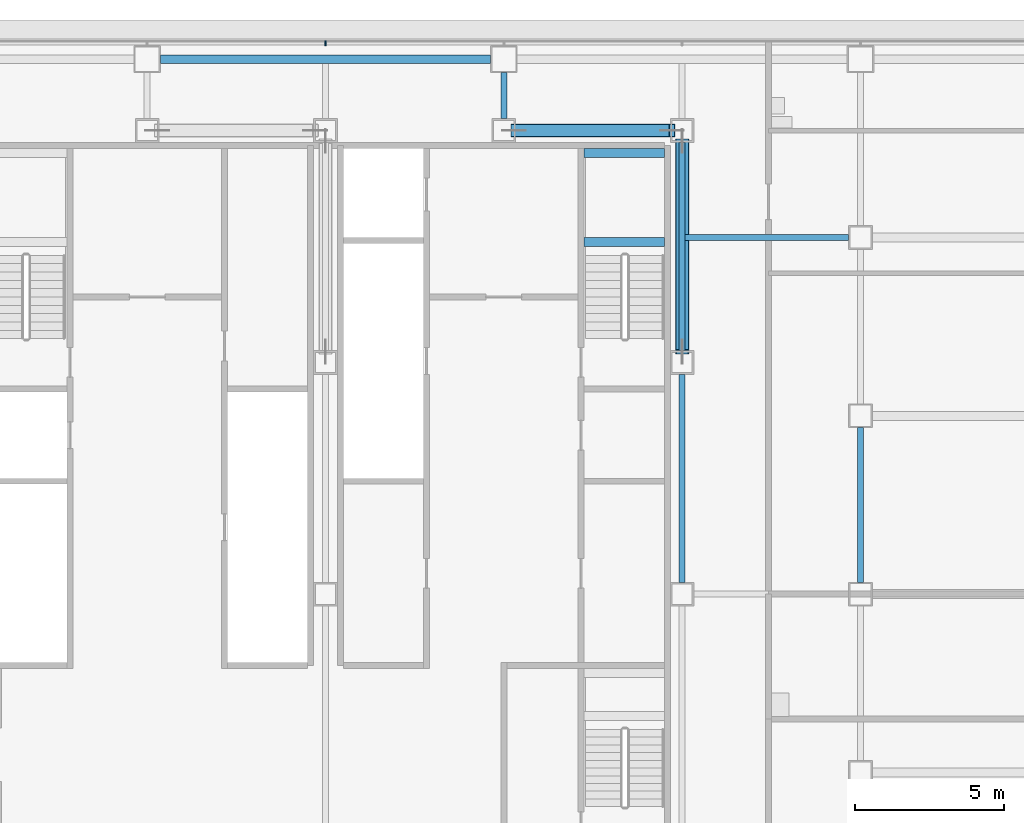
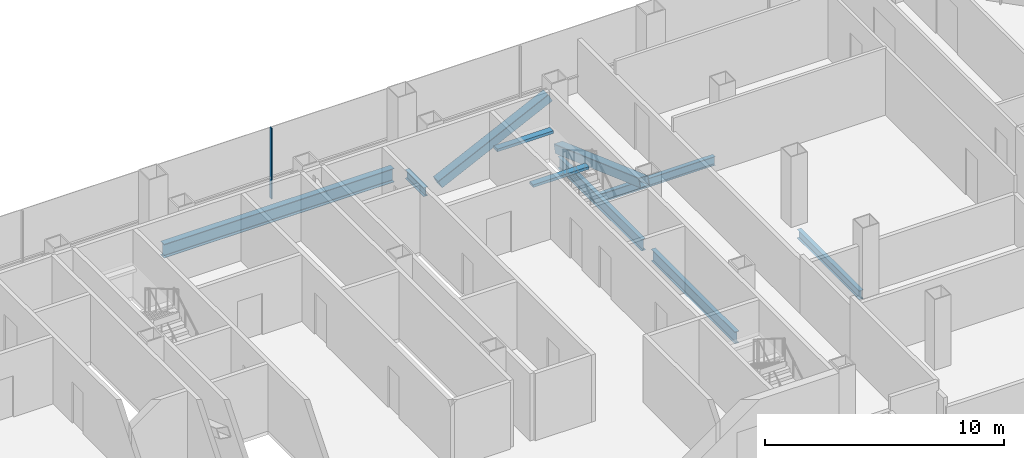
# One storey, part 13 of 26: 8 beams, 3 members, 1 element without a shape of its own.
"""IFC4 building model written with IfcOpenShell, lengths in metres."""

from ifc_helpers import new_model, si_unit, direction, frame, origin, origin_2d, place, context, subcontext, project, spatial, rectangle, hollow_rectangle, i_section, extrude, material, material_profile, profile_set, type_object, element, aggregate, save


model = new_model("IFC4")

# Units and contexts
model_context = context("Model", 3, precision=1e-05, world=origin(), true_north=direction((0.0, 1.0)))
body_context = subcontext(model_context, "Body", "Model", "MODEL_VIEW")
ifc_project = project(units=[si_unit("LENGTHUNIT", "METRE"), si_unit("AREAUNIT", "SQUARE_METRE"), si_unit("VOLUMEUNIT", "CUBIC_METRE"), si_unit("PLANEANGLEUNIT", "RADIAN"), si_unit("MASSUNIT", "GRAM", prefix="KILO")], contexts=[model_context])

# Site, building, storey
site_placement = place(None, origin())
site = spatial("IfcSite", under=ifc_project, at=site_placement, CompositionType="ELEMENT")
building_placement = place(site_placement, origin())
building = spatial("IfcBuilding", under=site, at=building_placement, Name="Sorahane Residences", CompositionType="ELEMENT")
storey_placement = place(building_placement, frame((0.0, 0.0, 64.199951171875)))
storey = spatial("IfcBuildingStorey", under=building, at=storey_placement, Name="L12", CompositionType="ELEMENT", Elevation=64.199951171875)

# Members
ifc_material_1 = material(Name="Steel Q355B", Category="steel")
ifc_material_profile_1 = material_profile(ifc_material_1, hollow_rectangle(XDim=0.449951171875, YDim=0.449951171875, WallThickness=0.02197265625, InnerFilletRadius=0.010986328125, OuterFilletRadius=0.032958984375, at=origin_2d()), Name="RHS 450x450x22")
ifc_profile_set_1 = profile_set([ifc_material_profile_1], Name="Steel Q355B")
member_type_1 = type_object("IfcMemberType", Name="Core brace RHS 450x450x22 Q355B", PredefinedType="BRACE", material=ifc_profile_set_1)
member_1_placement = place(storey_placement, frame((36.341064453125, 45.60009765625, 0.196533203125), z_axis=(0.899894691922, 0.0, 0.436107261405), x_axis=(0.0, 1.0, 0.0)))
element("IfcMember", 1, at=member_1_placement, inside=storey, type_object=member_type_1, Name="Core brace L12 y45.6-6", PredefinedType="BRACE", context=body_context, shape_type="SweptSolid", body=[
    extrude(hollow_rectangle(XDim=0.449951171875, YDim=0.449951171875, WallThickness=0.02197265625, InnerFilletRadius=0.010986328125, OuterFilletRadius=0.032958984375, at=origin_2d()), origin(), (0.0, 0.0, 1.0), 5.909423828125),
])
member_2_placement = place(storey_placement, frame((42.0, 45.24560546875, 0.20849609375), z_axis=(0.0, -0.940882869443, 0.338732085856), x_axis=(1.0, 0.0, 0.0)))
element("IfcMember", 2, at=member_2_placement, inside=storey, type_object=member_type_1, Name="Core brace L12 x42-3", PredefinedType="BRACE", context=body_context, shape_type="SweptSolid", body=[
    extrude(hollow_rectangle(XDim=0.449951171875, YDim=0.449951171875, WallThickness=0.02197265625, InnerFilletRadius=0.010986328125, OuterFilletRadius=0.032958984375, at=origin_2d()), origin(), (0.0, 0.0, 1.0), 7.536865234375),
])

# Curtain wall, member
ifc_material_2 = material(Name="Dark low-e glass and black anodised aluminium", Category="aluminium")
curtain_wall_type = type_object("IfcCurtainWallType", Name="Curtain wall CW-1 Typical unitised wall", PredefinedType="NOTDEFINED", material=ifc_material_2)
curtain_wall_placement = place(storey_placement, origin())
curtain_wall = element("IfcCurtainWall", 3, at=curtain_wall_placement, inside=storey, type_object=curtain_wall_type, Name="CW-1 curtain wall L12 N1", PredefinedType="NOTDEFINED")
ifc_material_3 = material(Name="Black anodised aluminium", Category="aluminium")
ifc_material_profile_2 = material_profile(ifc_material_3, rectangle(XDim=0.159912109375, YDim=0.050048828125, at=origin_2d()), Name="Curtain wall mullion CW-1 black anodised aluminium 50x160")
ifc_profile_set_2 = profile_set([ifc_material_profile_2], Name="Black anodised aluminium")
member_type_2 = type_object("IfcMemberType", Name="Curtain wall mullion CW-1 black anodised aluminium 50x160", PredefinedType="MULLION", material=ifc_profile_set_2)
member_3_placement = place(storey_placement, frame((30.0, 48.5400390625, -0.179931640625), z_axis=(0.0, 0.0, 1.0), x_axis=(0.0, 1.0, 0.0)))
member_3 = element("IfcMember", 4, at=member_3_placement, type_object=member_type_2, Name="CW-1 mullion L12 N1.6", PredefinedType="MULLION", context=body_context, shape_type="SweptSolid", body=[
    extrude(rectangle(XDim=0.159912109375, YDim=0.050048828125, at=origin_2d()), origin(), (0.0, 0.0, 1.0), 3.60009765625),
])
aggregate(curtain_wall, [member_3])

# Beams
ifc_material_4 = material(Name="Concrete C40", Category="concrete")
ifc_material_profile_3 = material_profile(ifc_material_4, rectangle(XDim=0.300048828125, YDim=0.139892578125, at=origin_2d()), Name="300x140")
ifc_profile_set_3 = profile_set([ifc_material_profile_3], Name="Concrete C40")
beam_type_1 = type_object("IfcBeamType", Name="RC landing beam 300 x 140 Concrete C40", PredefinedType="BEAM", material=ifc_profile_set_3)
for number, where, z_axis, x_axis, name in (
    (5, (38.699951171875, 41.85009765625, 1.530029296875), (1.0, 0.0, 0.0), (0.0, 1.0, 0.0), "Landing beam"),
    (6, (38.699951171875, 44.85009765625, 1.530029296875), (1.0, 0.0, 0.0), (0.0, 1.0, 0.0), "Landing beam"),
):
    element("IfcBeam", number, at=place(storey_placement, frame(where, z_axis=z_axis, x_axis=x_axis)), inside=storey, type_object=beam_type_1, Name=name, PredefinedType="BEAM", context=body_context, shape_type="SweptSolid", body=[
        extrude(rectangle(XDim=0.300048828125, YDim=0.139892578125, at=origin_2d()), origin(), (0.0, 0.0, 1.0), 2.699951171875),
    ])
ifc_material_5 = material(Name="Steel Q355B", Category="steel")
ifc_material_profile_4 = material_profile(ifc_material_5, i_section(OverallWidth=0.199951171875, OverallDepth=0.449951171875, WebThickness=0.009033203125, FlangeThickness=0.013916015625, FilletRadius=0.02001953125, at=origin_2d()), Name="HN 450x200x9x14")
ifc_profile_set_4 = profile_set([ifc_material_profile_4], Name="Steel Q355B")
beam_type_2 = type_object("IfcBeamType", Name="Steel floor beam HN 450x200x9x14 Q355B", PredefinedType="BEAM", material=ifc_profile_set_4)
beam_1_placement = place(storey_placement, frame((36.0, 46.0, -0.405029296875), z_axis=(0.0, 1.0, 0.0), x_axis=(-1.0, 0.0, 0.0)))
element("IfcBeam", 7, at=beam_1_placement, inside=storey, type_object=beam_type_2, Name="Beam L12 044", PredefinedType="BEAM", context=body_context, shape_type="SweptSolid", body=[
    extrude(i_section(OverallWidth=0.199951171875, OverallDepth=0.449951171875, WebThickness=0.009033203125, FlangeThickness=0.013916015625, FilletRadius=0.02001953125, at=origin_2d()), origin(), (0.0, 0.0, 1.0), 1.550048828125),
])
beam_2_placement = place(storey_placement, frame((48.0, 30.39990234375, -0.405029296875), z_axis=(0.0, 1.0, 0.0), x_axis=(-1.0, 0.0, 0.0)))
element("IfcBeam", 8, at=beam_2_placement, inside=storey, type_object=beam_type_2, Name="Beam L12 054", PredefinedType="BEAM", context=body_context, shape_type="SweptSolid", body=[
    extrude(i_section(OverallWidth=0.199951171875, OverallDepth=0.449951171875, WebThickness=0.009033203125, FlangeThickness=0.013916015625, FilletRadius=0.02001953125, at=origin_2d()), origin(), (0.0, 0.0, 1.0), 5.2001953125),
])
beam_3_placement = place(storey_placement, frame((42.10009765625, 42.0, -0.405029296875), z_axis=(1.0, 0.0, 0.0), x_axis=(0.0, 1.0, 0.0)))
element("IfcBeam", 9, at=beam_3_placement, inside=storey, type_object=beam_type_2, Name="Beam L12 080", PredefinedType="BEAM", context=body_context, shape_type="SweptSolid", body=[
    extrude(i_section(OverallWidth=0.199951171875, OverallDepth=0.449951171875, WebThickness=0.009033203125, FlangeThickness=0.013916015625, FilletRadius=0.02001953125, at=origin_2d()), origin(), (0.0, 0.0, 1.0), 5.5),
])
ifc_material_6 = material(Name="Steel Q355B", Category="steel")
ifc_material_profile_5 = material_profile(ifc_material_6, i_section(OverallWidth=0.199951171875, OverallDepth=0.60009765625, WebThickness=0.010986328125, FlangeThickness=0.01708984375, FilletRadius=0.02392578125, at=origin_2d()), Name="HN 600x200x11x17")
ifc_profile_set_5 = profile_set([ifc_material_profile_5], Name="Steel Q355B")
beam_type_3 = type_object("IfcBeamType", Name="Steel floor beam HN 600x200x11x17 Q355B", PredefinedType="BEAM", material=ifc_profile_set_5)
for number, where, z_axis, x_axis, name in (
    (10, (42.0, 30.39990234375, -0.47998046875), (0.0, 1.0, 0.0), (-1.0, 0.0, 0.0), "Beam L12 048"),
    (11, (42.0, 38.199951171875, -0.47998046875), (0.0, 1.0, 0.0), (-1.0, 0.0, 0.0), "Beam L12 049"),
):
    element("IfcBeam", number, at=place(storey_placement, frame(where, z_axis=z_axis, x_axis=x_axis)), inside=storey, type_object=beam_type_3, Name=name, PredefinedType="BEAM", context=body_context, shape_type="SweptSolid", body=[
        extrude(i_section(OverallWidth=0.199951171875, OverallDepth=0.60009765625, WebThickness=0.010986328125, FlangeThickness=0.01708984375, FilletRadius=0.02392578125, at=origin_2d()), origin(), (0.0, 0.0, 1.0), 7.0),
    ])
ifc_material_7 = material(Name="Steel Q355B", Category="steel")
ifc_material_profile_6 = material_profile(ifc_material_7, i_section(OverallWidth=0.300048828125, OverallDepth=0.699951171875, WebThickness=0.012939453125, FlangeThickness=0.02392578125, FilletRadius=0.028076171875, at=origin_2d()), Name="HN 700x300x13x24")
ifc_profile_set_6 = profile_set([ifc_material_profile_6], Name="Steel Q355B")
beam_type_4 = type_object("IfcBeamType", Name="Steel floor beam HN 700x300x13x24 Q355B", PredefinedType="BEAM", material=ifc_profile_set_6)
beam_4_placement = place(storey_placement, frame((24.449951171875, 48.0, -0.530029296875), z_axis=(1.0, 0.0, 0.0), x_axis=(0.0, 1.0, 0.0)))
element("IfcBeam", 12, at=beam_4_placement, inside=storey, type_object=beam_type_4, Name="Beam L12 014", PredefinedType="BEAM", context=body_context, shape_type="SweptSolid", body=[
    extrude(i_section(OverallWidth=0.300048828125, OverallDepth=0.699951171875, WebThickness=0.012939453125, FlangeThickness=0.02392578125, FilletRadius=0.028076171875, at=origin_2d()), origin(), (0.0, 0.0, 1.0), 11.10009765625),
])

save(model, "model.ifc")
